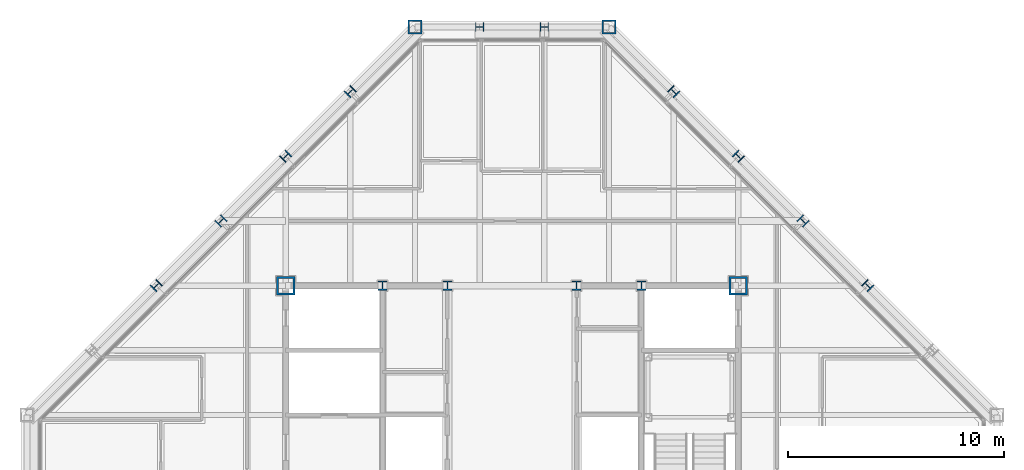
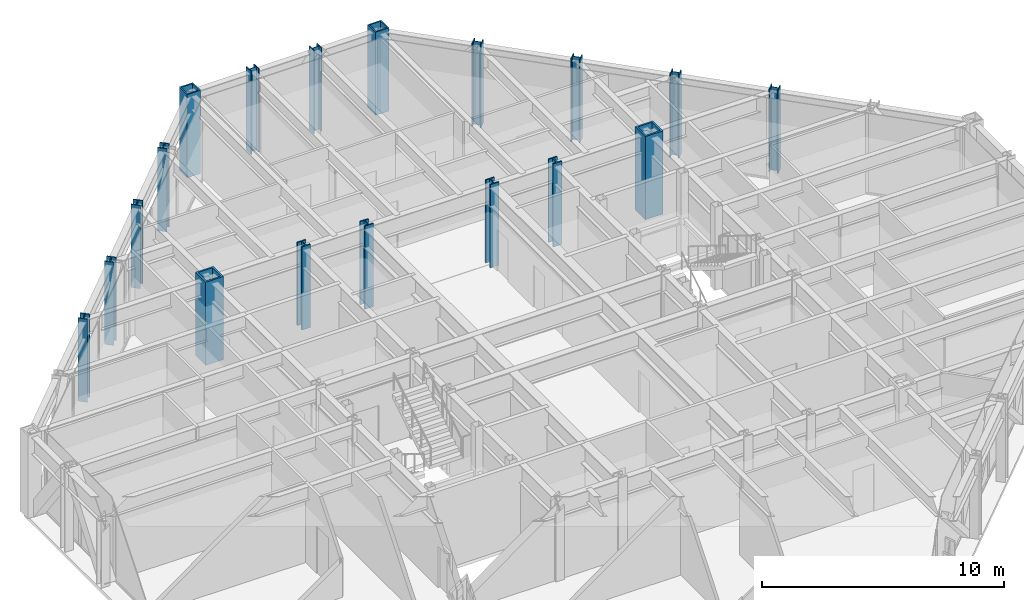
# One storey, part 4 of 15: 18 columns.
"""IFC4 building model written with IfcOpenShell, lengths in metres."""

from ifc_helpers import new_model, si_unit, direction, frame, origin, origin_2d, place, context, subcontext, project, spatial, hollow_rectangle, i_section, extrude, material, material_profile, profile_set, type_object, element, save


model = new_model("IFC4")

# Units and contexts
model_context = context("Model", 3, precision=1e-05, world=origin(), true_north=direction((0.0, 1.0)))
body_context = subcontext(model_context, "Body", "Model", "MODEL_VIEW")
ifc_project = project(units=[si_unit("LENGTHUNIT", "METRE"), si_unit("AREAUNIT", "SQUARE_METRE"), si_unit("VOLUMEUNIT", "CUBIC_METRE"), si_unit("PLANEANGLEUNIT", "RADIAN"), si_unit("MASSUNIT", "GRAM", prefix="KILO")], contexts=[model_context])

# Site, building, storey
site_placement = place(None, origin())
site = spatial("IfcSite", under=ifc_project, at=site_placement, CompositionType="ELEMENT")
building_placement = place(site_placement, origin())
building = spatial("IfcBuilding", under=site, at=building_placement, Name="Chuquiago Exchange Tower", CompositionType="ELEMENT")
storey_placement = place(building_placement, frame((0.0, 0.0, 283.199951171875)))
storey = spatial("IfcBuildingStorey", under=building, at=storey_placement, Name="L63", CompositionType="ELEMENT", Elevation=283.199951171875)

# Columns
ifc_material_1 = material(Name="Steel ASTM A992", Category="steel")
ifc_material_profile_1 = material_profile(ifc_material_1, i_section(OverallWidth=0.4013671875, OverallDepth=0.398681640625, WebThickness=0.02490234375, FlangeThickness=0.03955078125, at=origin_2d()), Name="W14X211")
ifc_profile_set_1 = profile_set([ifc_material_profile_1], Name="Steel ASTM A992")
column_type_1 = type_object("IfcColumnType", Name="C9 W14X211", PredefinedType="COLUMN", material=ifc_profile_set_1)
for number, where, z_axis, x_axis, name in (
    (1, (24.0, 45.0, 0.0), (0.0, 0.0, 1.0), (0.0, 1.0, 0.0), "COL-L63-24_45"),
    (2, (21.0, 45.0, 0.0), (0.0, 0.0, 1.0), (0.0, 1.0, 0.0), "COL-L63-21_45"),
):
    element("IfcColumn", number, at=place(storey_placement, frame(where, z_axis=z_axis, x_axis=x_axis)), inside=storey, type_object=column_type_1, Name=name, PredefinedType="COLUMN", context=body_context, shape_type="SweptSolid", body=[
        extrude(i_section(OverallWidth=0.4013671875, OverallDepth=0.398681640625, WebThickness=0.02490234375, FlangeThickness=0.03955078125, at=origin_2d()), origin(), (0.0, 0.0, 1.0), 4.199951171875),
    ])
ifc_material_2 = material(Name="Steel ASTM A572 Grade 50", Category="steel")
ifc_material_profile_2 = material_profile(ifc_material_2, hollow_rectangle(XDim=0.85009765625, YDim=0.85009765625, WallThickness=0.0849609375, at=origin_2d()), Name="BOX850X850X85")
ifc_profile_set_2 = profile_set([ifc_material_profile_2], Name="Steel ASTM A572 Grade 50")
column_type_2 = type_object("IfcColumnType", Name="CC6 BOX850X850X85", PredefinedType="COLUMN", material=ifc_profile_set_2)
for number, where, z_axis, x_axis, name in (
    (3, (12.0, 33.0, 0.0), (0.0, 0.0, 1.0), (1.0, 0.0, 0.0), "CCOL-L63-12_33"),
    (4, (33.0, 33.0, 0.0), (0.0, 0.0, 1.0), (1.0, 0.0, 0.0), "CCOL-L63-33_33"),
):
    element("IfcColumn", number, at=place(storey_placement, frame(where, z_axis=z_axis, x_axis=x_axis)), inside=storey, type_object=column_type_2, Name=name, PredefinedType="COLUMN", context=body_context, shape_type="SweptSolid", body=[
        extrude(hollow_rectangle(XDim=0.85009765625, YDim=0.85009765625, WallThickness=0.0849609375, at=origin_2d()), origin(), (0.0, 0.0, 1.0), 4.199951171875),
    ])
ifc_material_3 = material(Name="Steel ASTM A992", Category="steel")
ifc_material_profile_3 = material_profile(ifc_material_3, i_section(OverallWidth=0.41650390625, OverallDepth=0.444580078125, WebThickness=0.0390625, FlangeThickness=0.062744140625, at=origin_2d()), Name="W14X342")
ifc_profile_set_3 = profile_set([ifc_material_profile_3], Name="Steel ASTM A992")
column_type_3 = type_object("IfcColumnType", Name="CC9 W14X342", PredefinedType="COLUMN", material=ifc_profile_set_3)
for number, where, z_axis, x_axis, name in (
    (5, (16.5, 33.0, 0.0), (0.0, 0.0, 1.0), (1.0, 0.0, 0.0), "CCOL-L63-16.5_33"),
    (6, (19.5, 33.0, 0.0), (0.0, 0.0, 1.0), (1.0, 0.0, 0.0), "CCOL-L63-19.5_33"),
    (7, (25.5, 33.0, 0.0), (0.0, 0.0, 1.0), (1.0, 0.0, 0.0), "CCOL-L63-25.5_33"),
    (8, (28.5, 33.0, 0.0), (0.0, 0.0, 1.0), (1.0, 0.0, 0.0), "CCOL-L63-28.5_33"),
):
    element("IfcColumn", number, at=place(storey_placement, frame(where, z_axis=z_axis, x_axis=x_axis)), inside=storey, type_object=column_type_3, Name=name, PredefinedType="COLUMN", context=body_context, shape_type="SweptSolid", body=[
        extrude(i_section(OverallWidth=0.41650390625, OverallDepth=0.444580078125, WebThickness=0.0390625, FlangeThickness=0.062744140625, at=origin_2d()), origin(), (0.0, 0.0, 1.0), 4.199951171875),
    ])
ifc_material_4 = material(Name="Steel ASTM A992", Category="steel")
ifc_material_profile_4 = material_profile(ifc_material_4, i_section(OverallWidth=0.40380859375, OverallDepth=0.406494140625, WebThickness=0.027099609375, FlangeThickness=0.043701171875, at=origin_2d()), Name="W14X233")
ifc_profile_set_4 = profile_set([ifc_material_profile_4], Name="Steel ASTM A992")
column_type_4 = type_object("IfcColumnType", Name="CK8 W14X233", PredefinedType="COLUMN", material=ifc_profile_set_4)
for number, where, z_axis, x_axis, name in (
    (9, (39.0, 33.0, 0.0), (0.0, 0.0, 1.0), (0.707106781187, 0.707106781187, 0.0), "COL-L63-39_33"),
    (10, (36.0, 36.0, 0.0), (0.0, 0.0, 1.0), (0.707106781187, 0.707106781187, 0.0), "COL-L63-36_36"),
    (11, (33.0, 39.0, 0.0), (0.0, 0.0, 1.0), (0.707106781187, 0.707106781187, 0.0), "COL-L63-33_39"),
    (12, (30.0, 42.0, 0.0), (0.0, 0.0, 1.0), (0.707106781187, 0.707106781187, 0.0), "COL-L63-30_42"),
    (13, (15.0, 42.0, 0.0), (0.0, 0.0, 1.0), (-0.707106781187, 0.707106781187, 0.0), "COL-L63-15_42"),
    (14, (12.0, 39.0, 0.0), (0.0, 0.0, 1.0), (-0.707106781187, 0.707106781187, 0.0), "COL-L63-12_39"),
    (15, (9.0, 36.0, 0.0), (0.0, 0.0, 1.0), (-0.707106781187, 0.707106781187, 0.0), "COL-L63-9_36"),
    (16, (6.0, 33.0, 0.0), (0.0, 0.0, 1.0), (-0.707106781187, 0.707106781187, 0.0), "COL-L63-6_33"),
):
    element("IfcColumn", number, at=place(storey_placement, frame(where, z_axis=z_axis, x_axis=x_axis)), inside=storey, type_object=column_type_4, Name=name, PredefinedType="COLUMN", context=body_context, shape_type="SweptSolid", body=[
        extrude(i_section(OverallWidth=0.40380859375, OverallDepth=0.406494140625, WebThickness=0.027099609375, FlangeThickness=0.043701171875, at=origin_2d()), origin(), (0.0, 0.0, 1.0), 4.199951171875),
    ])
ifc_material_5 = material(Name="Steel ASTM A572 Grade 50", Category="steel")
ifc_material_profile_5 = material_profile(ifc_material_5, hollow_rectangle(XDim=0.64990234375, YDim=0.64990234375, WallThickness=0.06494140625, at=origin_2d()), Name="BOX650X650X65")
ifc_profile_set_5 = profile_set([ifc_material_profile_5], Name="Steel ASTM A572 Grade 50")
column_type_5 = type_object("IfcColumnType", Name="CN2 BOX650X650X65", PredefinedType="COLUMN", material=ifc_profile_set_5)
for number, where, z_axis, x_axis, name in (
    (17, (27.0, 45.0, 0.0), (0.0, 0.0, 1.0), (0.0, 1.0, 0.0), "COL-L63-27_45"),
    (18, (18.0, 45.0, 0.0), (0.0, 0.0, 1.0), (0.0, 1.0, 0.0), "COL-L63-18_45"),
):
    element("IfcColumn", number, at=place(storey_placement, frame(where, z_axis=z_axis, x_axis=x_axis)), inside=storey, type_object=column_type_5, Name=name, PredefinedType="COLUMN", context=body_context, shape_type="SweptSolid", body=[
        extrude(hollow_rectangle(XDim=0.64990234375, YDim=0.64990234375, WallThickness=0.06494140625, at=origin_2d()), origin(), (0.0, 0.0, 1.0), 4.199951171875),
    ])

save(model, "model.ifc")
